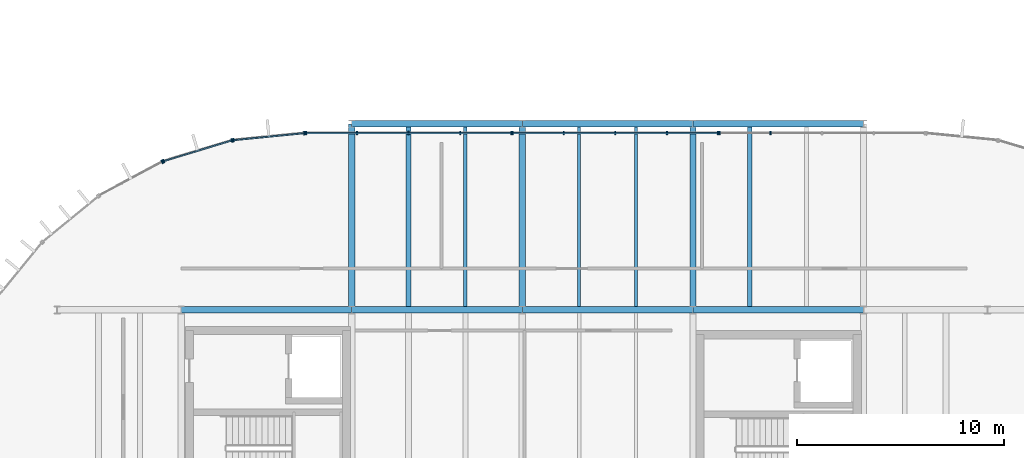
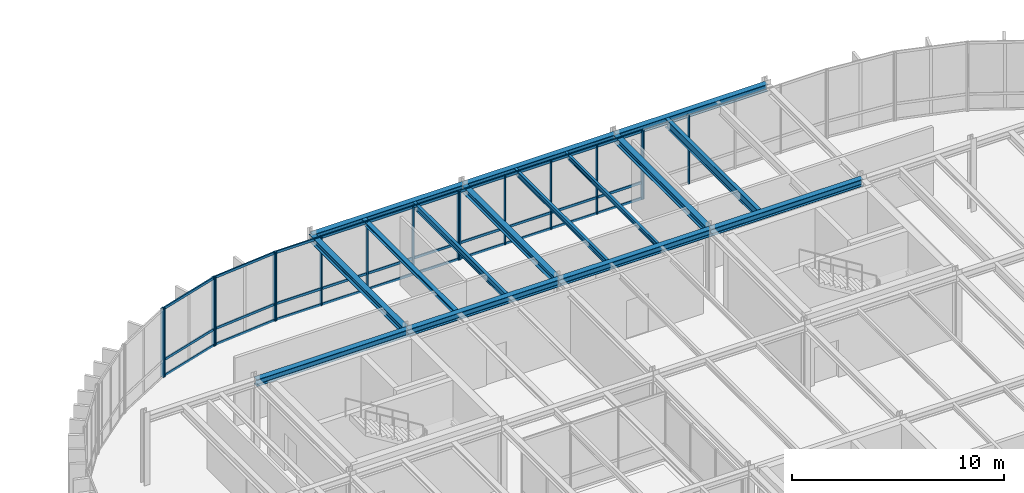
# One storey, part 14 of 31: 29 members, 15 beams, 6 elements without a shape of their own.
"""IFC4 building model written with IfcOpenShell, lengths in metres."""

from ifc_helpers import new_model, si_unit, direction, frame, origin, origin_2d, place, context, subcontext, project, spatial, rectangle, i_section, extrude, material, layer, layer_set, material_profile, profile_set, type_object, element, aggregate, save


model = new_model("IFC4")

# Units and contexts
model_context = context("Model", 3, precision=1e-05, world=origin(), true_north=direction((0.0, 1.0)))
body_context = subcontext(model_context, "Body", "Model", "MODEL_VIEW")
ifc_project = project(units=[si_unit("LENGTHUNIT", "METRE"), si_unit("AREAUNIT", "SQUARE_METRE"), si_unit("VOLUMEUNIT", "CUBIC_METRE"), si_unit("PLANEANGLEUNIT", "RADIAN"), si_unit("MASSUNIT", "GRAM", prefix="KILO")], contexts=[model_context])

# Site, building, storey
site_placement = place(None, origin())
site = spatial("IfcSite", under=ifc_project, at=site_placement, CompositionType="ELEMENT")
building_placement = place(site_placement, origin())
building = spatial("IfcBuilding", under=site, at=building_placement, Name="Montealbar Specialist Clinic", CompositionType="ELEMENT")
storey_placement = place(building_placement, frame((0.0, 0.0, 13.800048828125)))
storey = spatial("IfcBuildingStorey", under=building, at=storey_placement, Name="L03", CompositionType="ELEMENT", Elevation=13.800048828125)

# Beams
ifc_material_1 = material(Name="Steel S355", Category="steel")
ifc_material_profile_1 = material_profile(ifc_material_1, i_section(OverallWidth=0.300048828125, OverallDepth=0.39990234375, WebThickness=0.013427734375, FlangeThickness=0.02392578125, FilletRadius=0.027099609375, at=origin_2d()), Name="HEB 400", Category="steel")
ifc_profile_set_1 = profile_set([ifc_material_profile_1], Name="Steel S355")
beam_type_1 = type_object("IfcBeamType", Name="BM-GIRD-HEB400", PredefinedType="BEAM", material=ifc_profile_set_1)
for number, where, z_axis, x_axis, name in (
    (1, (66.0, 36.0, 3.739990234375), (1.0, 0.0, 0.0), (0.0, 1.0, 0.0), "Beam GX-L03-660-742-360"),
    (2, (74.25, 36.0, 3.739990234375), (1.0, 0.0, 0.0), (0.0, 1.0, 0.0), "Beam GX-L03-742-825-360"),
    (3, (82.5, 36.0, 3.739990234375), (1.0, 0.0, 0.0), (0.0, 1.0, 0.0), "Beam GX-L03-825-908-360"),
    (4, (90.75, 36.0, 3.739990234375), (1.0, 0.0, 0.0), (0.0, 1.0, 0.0), "Beam GX-L03-908-990-360"),
):
    element("IfcBeam", number, at=place(storey_placement, frame(where, z_axis=z_axis, x_axis=x_axis)), inside=storey, type_object=beam_type_1, Name=name, PredefinedType="BEAM", context=body_context, shape_type="SweptSolid", body=[
        extrude(i_section(OverallWidth=0.300048828125, OverallDepth=0.39990234375, WebThickness=0.013427734375, FlangeThickness=0.02392578125, FilletRadius=0.027099609375, at=origin_2d()), origin(), (0.0, 0.0, 1.0), 8.25),
    ])
for number, where, z_axis, x_axis, name in (
    (5, (74.25, 36.0, 3.739990234375), (0.0, 1.0, 0.0), (-1.0, 0.0, 0.0), "Beam GY-L03-742-360-450"),
    (6, (82.5, 36.0, 3.739990234375), (0.0, 1.0, 0.0), (-1.0, 0.0, 0.0), "Beam GY-L03-825-360-450"),
    (7, (90.75, 36.0, 3.739990234375), (0.0, 1.0, 0.0), (-1.0, 0.0, 0.0), "Beam GY-L03-908-360-450"),
):
    element("IfcBeam", number, at=place(storey_placement, frame(where, z_axis=z_axis, x_axis=x_axis)), inside=storey, type_object=beam_type_1, Name=name, PredefinedType="BEAM", context=body_context, shape_type="SweptSolid", body=[
        extrude(i_section(OverallWidth=0.300048828125, OverallDepth=0.39990234375, WebThickness=0.013427734375, FlangeThickness=0.02392578125, FilletRadius=0.027099609375, at=origin_2d()), origin(), (0.0, 0.0, 1.0), 9.0),
    ])
ifc_material_profile_2 = material_profile(ifc_material_1, i_section(OverallWidth=0.300048828125, OverallDepth=0.39990234375, WebThickness=0.013427734375, FlangeThickness=0.02392578125, FilletRadius=0.027099609375, at=origin_2d()), Name="HEB 400", Category="steel")
ifc_profile_set_2 = profile_set([ifc_material_profile_2], Name="Steel S355")
beam_type_2 = type_object("IfcBeamType", Name="BM-GIRD-HEB400-EXT", PredefinedType="BEAM", material=ifc_profile_set_2)
for number, where, z_axis, x_axis, name in (
    (8, (74.25, 45.0, 3.739990234375), (1.0, 0.0, 0.0), (0.0, 1.0, 0.0), "Beam GX-L03-742-825-450"),
    (9, (82.5, 45.0, 3.739990234375), (1.0, 0.0, 0.0), (0.0, 1.0, 0.0), "Beam GX-L03-825-908-450"),
    (10, (90.75, 45.0, 3.739990234375), (1.0, 0.0, 0.0), (0.0, 1.0, 0.0), "Beam GX-L03-908-990-450"),
):
    element("IfcBeam", number, at=place(storey_placement, frame(where, z_axis=z_axis, x_axis=x_axis)), inside=storey, type_object=beam_type_2, Name=name, PredefinedType="BEAM", context=body_context, shape_type="SweptSolid", body=[
        extrude(i_section(OverallWidth=0.300048828125, OverallDepth=0.39990234375, WebThickness=0.013427734375, FlangeThickness=0.02392578125, FilletRadius=0.027099609375, at=origin_2d()), origin(), (0.0, 0.0, 1.0), 8.25),
    ])
ifc_material_profile_3 = material_profile(ifc_material_1, i_section(OverallWidth=0.135009765625, OverallDepth=0.27001953125, WebThickness=0.006591796875, FlangeThickness=0.01025390625, FilletRadius=0.014892578125, at=origin_2d()), Name="IPE 270", Category="steel")
ifc_profile_set_3 = profile_set([ifc_material_profile_3], Name="Steel S355")
beam_type_3 = type_object("IfcBeamType", Name="BM-JST-IPE270", PredefinedType="JOIST", material=ifc_profile_set_3)
beam_1_placement = place(storey_placement, frame((88.0, 36.14990234375, 3.804931640625), z_axis=(0.0, 1.0, 0.0), x_axis=(-1.0, 0.0, 0.0)))
element("IfcBeam", 11, at=beam_1_placement, inside=storey, type_object=beam_type_3, Name="Beam JST-L03-880-362-448", PredefinedType="JOIST", context=body_context, shape_type="SweptSolid", body=[
    extrude(i_section(OverallWidth=0.135009765625, OverallDepth=0.27001953125, WebThickness=0.006591796875, FlangeThickness=0.01025390625, FilletRadius=0.014892578125, at=origin_2d()), origin(), (0.0, 0.0, 1.0), 8.7001953125),
])
ifc_material_profile_4 = material_profile(ifc_material_1, i_section(OverallWidth=0.14990234375, OverallDepth=0.300048828125, WebThickness=0.007080078125, FlangeThickness=0.0107421875, FilletRadius=0.014892578125, at=origin_2d()), Name="IPE 300", Category="steel")
ifc_profile_set_4 = profile_set([ifc_material_profile_4], Name="Steel S355")
beam_type_4 = type_object("IfcBeamType", Name="BM-JST-IPE300", PredefinedType="JOIST", material=ifc_profile_set_4)
beam_2_placement = place(storey_placement, frame((85.25, 36.14990234375, 3.7900390625), z_axis=(0.0, 1.0, 0.0), x_axis=(-1.0, 0.0, 0.0)))
element("IfcBeam", 12, at=beam_2_placement, inside=storey, type_object=beam_type_4, Name="Beam JST-L03-852-362-448", PredefinedType="JOIST", context=body_context, shape_type="SweptSolid", body=[
    extrude(i_section(OverallWidth=0.14990234375, OverallDepth=0.300048828125, WebThickness=0.007080078125, FlangeThickness=0.0107421875, FilletRadius=0.014892578125, at=origin_2d()), origin(), (0.0, 0.0, 1.0), 8.7001953125),
])
ifc_material_profile_5 = material_profile(ifc_material_1, i_section(OverallWidth=0.169921875, OverallDepth=0.360107421875, WebThickness=0.008056640625, FlangeThickness=0.0126953125, FilletRadius=0.01806640625, at=origin_2d()), Name="IPE 360", Category="steel")
ifc_profile_set_5 = profile_set([ifc_material_profile_5], Name="Steel S355")
beam_type_5 = type_object("IfcBeamType", Name="BM-JST-IPE360", PredefinedType="JOIST", material=ifc_profile_set_5)
beam_3_placement = place(storey_placement, frame((79.75, 36.14990234375, 3.760009765625), z_axis=(0.0, 1.0, 0.0), x_axis=(-1.0, 0.0, 0.0)))
element("IfcBeam", 13, at=beam_3_placement, inside=storey, type_object=beam_type_5, Name="Beam JST-L03-798-362-448", PredefinedType="JOIST", context=body_context, shape_type="SweptSolid", body=[
    extrude(i_section(OverallWidth=0.169921875, OverallDepth=0.360107421875, WebThickness=0.008056640625, FlangeThickness=0.0126953125, FilletRadius=0.01806640625, at=origin_2d()), origin(), (0.0, 0.0, 1.0), 8.7001953125),
])
ifc_material_profile_6 = material_profile(ifc_material_1, i_section(OverallWidth=0.199951171875, OverallDepth=0.5, WebThickness=0.01025390625, FlangeThickness=0.01611328125, FilletRadius=0.02099609375, at=origin_2d()), Name="IPE 500", Category="steel")
ifc_profile_set_6 = profile_set([ifc_material_profile_6], Name="Steel S355")
beam_type_6 = type_object("IfcBeamType", Name="BM-JST-IPE500", PredefinedType="JOIST", material=ifc_profile_set_6)
beam_4_placement = place(storey_placement, frame((93.5, 36.14990234375, 3.68994140625), z_axis=(0.0, 1.0, 0.0), x_axis=(-1.0, 0.0, 0.0)))
element("IfcBeam", 14, at=beam_4_placement, inside=storey, type_object=beam_type_6, Name="Beam JST-L03-935-362-448", PredefinedType="JOIST", context=body_context, shape_type="SweptSolid", body=[
    extrude(i_section(OverallWidth=0.199951171875, OverallDepth=0.5, WebThickness=0.01025390625, FlangeThickness=0.01611328125, FilletRadius=0.02099609375, at=origin_2d()), origin(), (0.0, 0.0, 1.0), 8.7001953125),
])
ifc_material_profile_7 = material_profile(ifc_material_1, i_section(OverallWidth=0.239990234375, OverallDepth=0.22998046875, WebThickness=0.007568359375, FlangeThickness=0.011962890625, FilletRadius=0.02099609375, at=origin_2d()), Name="HEA 240", Category="steel")
ifc_profile_set_7 = profile_set([ifc_material_profile_7], Name="Steel S355")
beam_type_7 = type_object("IfcBeamType", Name="BM-SPAND-HEA240", PredefinedType="SPANDREL", material=ifc_profile_set_7)
beam_5_placement = place(storey_placement, frame((77.0, 36.14990234375, 3.824951171875), z_axis=(0.0, 1.0, 0.0), x_axis=(-1.0, 0.0, 0.0)))
element("IfcBeam", 15, at=beam_5_placement, inside=storey, type_object=beam_type_7, Name="Beam JST-L03-770-362-448", PredefinedType="SPANDREL", context=body_context, shape_type="SweptSolid", body=[
    extrude(i_section(OverallWidth=0.239990234375, OverallDepth=0.22998046875, WebThickness=0.007568359375, FlangeThickness=0.011962890625, FilletRadius=0.02099609375, at=origin_2d()), origin(), (0.0, 0.0, 1.0), 8.7001953125),
])

# Curtain wall, members
ifc_material_2 = material(Name="Low-E double glazing", Category="glass")
ifc_layer_1 = layer(ifc_material_2, 0.199951171875, Name="Low-E double glazing", Category="glass")
ifc_layer_set_1 = layer_set([ifc_layer_1], Name="Low-E double glazing")
curtain_wall_type_1 = type_object("IfcCurtainWallType", Name="CW-TYPE-20", PredefinedType="NOTDEFINED", material=ifc_layer_set_1)
curtain_wall_1_placement = place(storey_placement, origin())
curtain_wall_1 = element("IfcCurtainWall", 16, at=curtain_wall_1_placement, inside=storey, type_object=curtain_wall_type_1, Name="Unitised Curtain Wall CW-L03-720-446-820-446-138", PredefinedType="NOTDEFINED")
ifc_material_3 = material(Name="Anodised aluminium EN AW-6063", Category="aluminium")
ifc_material_profile_8 = material_profile(ifc_material_3, rectangle(XDim=0.06005859375, YDim=0.159912109375, at=origin_2d()), Name="ALU 60x160", Category="aluminium")
ifc_profile_set_8 = profile_set([ifc_material_profile_8], Name="Anodised aluminium EN AW-6063")
member_type_1 = type_object("IfcMemberType", Name="CW-MUL-160", PredefinedType="MULLION", material=ifc_profile_set_8)
member_1_placement = place(storey_placement, frame((72.034912109375, 44.550048828125, 0.0), z_axis=(0.0, 0.0, 1.0), x_axis=(1.0, 0.0, 0.0)))
member_1 = element("IfcMember", 17, at=member_1_placement, type_object=member_type_1, Name="Curtain Wall Mullion CW-L03-720-446-820-446-138-00", PredefinedType="MULLION", context=body_context, shape_type="SweptSolid", body=[
    extrude(rectangle(XDim=0.06005859375, YDim=0.159912109375, at=origin_2d()), origin(), (0.0, 0.0, 1.0), 3.93994140625),
])
member_2_placement = place(storey_placement, frame((74.5, 44.550048828125, 0.0), z_axis=(0.0, 0.0, 1.0), x_axis=(1.0, 0.0, 0.0)))
member_2 = element("IfcMember", 18, at=member_2_placement, type_object=member_type_1, Name="Curtain Wall Mullion CW-L03-720-446-820-446-138-01", PredefinedType="MULLION", context=body_context, shape_type="SweptSolid", body=[
    extrude(rectangle(XDim=0.06005859375, YDim=0.159912109375, at=origin_2d()), origin(), (0.0, 0.0, 1.0), 3.93994140625),
])
member_3_placement = place(storey_placement, frame((77.0, 44.550048828125, 0.0), z_axis=(0.0, 0.0, 1.0), x_axis=(1.0, 0.0, 0.0)))
member_3 = element("IfcMember", 19, at=member_3_placement, type_object=member_type_1, Name="Curtain Wall Mullion CW-L03-720-446-820-446-138-02", PredefinedType="MULLION", context=body_context, shape_type="SweptSolid", body=[
    extrude(rectangle(XDim=0.06005859375, YDim=0.159912109375, at=origin_2d()), origin(), (0.0, 0.0, 1.0), 3.93994140625),
])
member_4_placement = place(storey_placement, frame((79.5, 44.550048828125, 0.0), z_axis=(0.0, 0.0, 1.0), x_axis=(1.0, 0.0, 0.0)))
member_4 = element("IfcMember", 20, at=member_4_placement, type_object=member_type_1, Name="Curtain Wall Mullion CW-L03-720-446-820-446-138-03", PredefinedType="MULLION", context=body_context, shape_type="SweptSolid", body=[
    extrude(rectangle(XDim=0.06005859375, YDim=0.159912109375, at=origin_2d()), origin(), (0.0, 0.0, 1.0), 3.93994140625),
])
member_5_placement = place(storey_placement, frame((81.965087890625, 44.550048828125, 0.0), z_axis=(0.0, 0.0, 1.0), x_axis=(1.0, 0.0, 0.0)))
member_5 = element("IfcMember", 21, at=member_5_placement, type_object=member_type_1, Name="Curtain Wall Mullion CW-L03-720-446-820-446-138-04", PredefinedType="MULLION", context=body_context, shape_type="SweptSolid", body=[
    extrude(rectangle(XDim=0.06005859375, YDim=0.159912109375, at=origin_2d()), origin(), (0.0, 0.0, 1.0), 3.93994140625),
])

curtain_wall_2_placement = place(storey_placement, origin())
curtain_wall_2 = element("IfcCurtainWall", 22, at=curtain_wall_2_placement, inside=storey, type_object=curtain_wall_type_1, Name="Unitised Curtain Wall CW-L03-820-446-920-446-138", PredefinedType="NOTDEFINED")
member_6_placement = place(storey_placement, frame((82.034912109375, 44.550048828125, 0.0), z_axis=(0.0, 0.0, 1.0), x_axis=(1.0, 0.0, 0.0)))
member_6 = element("IfcMember", 23, at=member_6_placement, type_object=member_type_1, Name="Curtain Wall Mullion CW-L03-820-446-920-446-138-00", PredefinedType="MULLION", context=body_context, shape_type="SweptSolid", body=[
    extrude(rectangle(XDim=0.06005859375, YDim=0.159912109375, at=origin_2d()), origin(), (0.0, 0.0, 1.0), 3.93994140625),
])
member_7_placement = place(storey_placement, frame((84.5, 44.550048828125, 0.0), z_axis=(0.0, 0.0, 1.0), x_axis=(1.0, 0.0, 0.0)))
member_7 = element("IfcMember", 24, at=member_7_placement, type_object=member_type_1, Name="Curtain Wall Mullion CW-L03-820-446-920-446-138-01", PredefinedType="MULLION", context=body_context, shape_type="SweptSolid", body=[
    extrude(rectangle(XDim=0.06005859375, YDim=0.159912109375, at=origin_2d()), origin(), (0.0, 0.0, 1.0), 3.93994140625),
])
member_8_placement = place(storey_placement, frame((87.0, 44.550048828125, 0.0), z_axis=(0.0, 0.0, 1.0), x_axis=(1.0, 0.0, 0.0)))
member_8 = element("IfcMember", 25, at=member_8_placement, type_object=member_type_1, Name="Curtain Wall Mullion CW-L03-820-446-920-446-138-02", PredefinedType="MULLION", context=body_context, shape_type="SweptSolid", body=[
    extrude(rectangle(XDim=0.06005859375, YDim=0.159912109375, at=origin_2d()), origin(), (0.0, 0.0, 1.0), 3.93994140625),
])
member_9_placement = place(storey_placement, frame((89.5, 44.550048828125, 0.0), z_axis=(0.0, 0.0, 1.0), x_axis=(1.0, 0.0, 0.0)))
member_9 = element("IfcMember", 26, at=member_9_placement, type_object=member_type_1, Name="Curtain Wall Mullion CW-L03-820-446-920-446-138-03", PredefinedType="MULLION", context=body_context, shape_type="SweptSolid", body=[
    extrude(rectangle(XDim=0.06005859375, YDim=0.159912109375, at=origin_2d()), origin(), (0.0, 0.0, 1.0), 3.93994140625),
])
member_10_placement = place(storey_placement, frame((91.965087890625, 44.550048828125, 0.0), z_axis=(0.0, 0.0, 1.0), x_axis=(1.0, 0.0, 0.0)))
member_10 = element("IfcMember", 27, at=member_10_placement, type_object=member_type_1, Name="Curtain Wall Mullion CW-L03-820-446-920-446-138-04", PredefinedType="MULLION", context=body_context, shape_type="SweptSolid", body=[
    extrude(rectangle(XDim=0.06005859375, YDim=0.159912109375, at=origin_2d()), origin(), (0.0, 0.0, 1.0), 3.93994140625),
])

curtain_wall_3_placement = place(storey_placement, origin())
curtain_wall_3 = element("IfcCurtainWall", 28, at=curtain_wall_3_placement, inside=storey, type_object=curtain_wall_type_1, Name="Unitised Curtain Wall CW-L03-920-446-1020-446-138", PredefinedType="NOTDEFINED")
member_11_placement = place(storey_placement, frame((92.034912109375, 44.550048828125, 0.0), z_axis=(0.0, 0.0, 1.0), x_axis=(1.0, 0.0, 0.0)))
member_11 = element("IfcMember", 29, at=member_11_placement, type_object=member_type_1, Name="Curtain Wall Mullion CW-L03-920-446-1020-446-138-00", PredefinedType="MULLION", context=body_context, shape_type="SweptSolid", body=[
    extrude(rectangle(XDim=0.06005859375, YDim=0.159912109375, at=origin_2d()), origin(), (0.0, 0.0, 1.0), 3.93994140625),
])
member_12_placement = place(storey_placement, frame((94.5, 44.550048828125, 0.0), z_axis=(0.0, 0.0, 1.0), x_axis=(1.0, 0.0, 0.0)))
member_12 = element("IfcMember", 30, at=member_12_placement, type_object=member_type_1, Name="Curtain Wall Mullion CW-L03-920-446-1020-446-138-01", PredefinedType="MULLION", context=body_context, shape_type="SweptSolid", body=[
    extrude(rectangle(XDim=0.06005859375, YDim=0.159912109375, at=origin_2d()), origin(), (0.0, 0.0, 1.0), 3.93994140625),
])
aggregate(curtain_wall_3, [member_11, member_12])

# Curtain wall, member
ifc_layer_2 = layer(ifc_material_2, 0.199951171875, Name="Low-E double glazing", Category="glass")
ifc_layer_set_2 = layer_set([ifc_layer_2], Name="Low-E double glazing")
curtain_wall_type_2 = type_object("IfcCurtainWallType", Name="CW-TYPE-19", PredefinedType="NOTDEFINED", material=ifc_layer_set_2)
curtain_wall_4_placement = place(storey_placement, origin())
curtain_wall_4 = element("IfcCurtainWall", 31, at=curtain_wall_4_placement, inside=storey, type_object=curtain_wall_type_2, Name="Unitised Curtain Wall CW-L03-620-415-651-432-138", PredefinedType="NOTDEFINED")
ifc_material_profile_9 = material_profile(ifc_material_3, rectangle(XDim=0.070068359375, YDim=0.179931640625, at=origin_2d()), Name="ALU 70x180", Category="aluminium")
ifc_profile_set_9 = profile_set([ifc_material_profile_9], Name="Anodised aluminium EN AW-6063")
member_type_2 = type_object("IfcMemberType", Name="CW-MUL-200", PredefinedType="MULLION", material=ifc_profile_set_9)
member_13_placement = place(storey_placement, frame((65.076904296875, 43.160888671875, 0.0), z_axis=(0.0, 0.0, 1.0), x_axis=(0.881850411644, 0.471529268958, 0.0)))
member_13 = element("IfcMember", 32, at=member_13_placement, type_object=member_type_2, Name="Curtain Wall Mullion CW-L03-620-415-651-432-138-01", PredefinedType="MULLION", context=body_context, shape_type="SweptSolid", body=[
    extrude(rectangle(XDim=0.070068359375, YDim=0.179931640625, at=origin_2d()), origin(), (0.0, 0.0, 1.0), 3.93994140625),
])
aggregate(curtain_wall_4, [member_13])

# Curtain wall, members
curtain_wall_5_placement = place(storey_placement, origin())
curtain_wall_5 = element("IfcCurtainWall", 33, at=curtain_wall_5_placement, inside=storey, type_object=curtain_wall_type_2, Name="Unitised Curtain Wall CW-L03-651-432-685-442-138", PredefinedType="NOTDEFINED")
member_14_placement = place(storey_placement, frame((65.14990234375, 43.19189453125, 0.0), z_axis=(0.0, 0.0, 1.0), x_axis=(0.956948083701, 0.290259134399, 0.0)))
member_14 = element("IfcMember", 34, at=member_14_placement, type_object=member_type_2, Name="Curtain Wall Mullion CW-L03-651-432-685-442-138-00", PredefinedType="MULLION", context=body_context, shape_type="SweptSolid", body=[
    extrude(rectangle(XDim=0.070068359375, YDim=0.179931640625, at=origin_2d()), origin(), (0.0, 0.0, 1.0), 3.93994140625),
])
member_15_placement = place(storey_placement, frame((68.449951171875, 44.19189453125, 0.0), z_axis=(0.0, 0.0, 1.0), x_axis=(0.956948083701, 0.290259134399, 0.0)))
member_15 = element("IfcMember", 35, at=member_15_placement, type_object=member_type_2, Name="Curtain Wall Mullion CW-L03-651-432-685-442-138-01", PredefinedType="MULLION", context=body_context, shape_type="SweptSolid", body=[
    extrude(rectangle(XDim=0.070068359375, YDim=0.179931640625, at=origin_2d()), origin(), (0.0, 0.0, 1.0), 3.93994140625),
])

curtain_wall_6_placement = place(storey_placement, origin())
curtain_wall_6 = element("IfcCurtainWall", 36, at=curtain_wall_6_placement, inside=storey, type_object=curtain_wall_type_2, Name="Unitised Curtain Wall CW-L03-685-442-720-446-138", PredefinedType="NOTDEFINED")
member_16_placement = place(storey_placement, frame((68.528076171875, 44.2080078125, 0.0), z_axis=(0.0, 0.0, 1.0), x_axis=(0.995182012183, 0.098044697094, 0.0)))
member_16 = element("IfcMember", 37, at=member_16_placement, type_object=member_type_2, Name="Curtain Wall Mullion CW-L03-685-442-720-446-138-00", PredefinedType="MULLION", context=body_context, shape_type="SweptSolid", body=[
    extrude(rectangle(XDim=0.070068359375, YDim=0.179931640625, at=origin_2d()), origin(), (0.0, 0.0, 1.0), 3.93994140625),
])
member_17_placement = place(storey_placement, frame((71.9599609375, 44.5458984375, 0.0), z_axis=(0.0, 0.0, 1.0), x_axis=(0.995182012183, 0.098044697094, 0.0)))
member_17 = element("IfcMember", 38, at=member_17_placement, type_object=member_type_2, Name="Curtain Wall Mullion CW-L03-685-442-720-446-138-01", PredefinedType="MULLION", context=body_context, shape_type="SweptSolid", body=[
    extrude(rectangle(XDim=0.070068359375, YDim=0.179931640625, at=origin_2d()), origin(), (0.0, 0.0, 1.0), 3.93994140625),
])

# Member
ifc_material_4 = material(Name="Powder-coated aluminium", Category="aluminium")
ifc_material_profile_10 = material_profile(ifc_material_4, rectangle(XDim=0.070068359375, YDim=0.139892578125, at=origin_2d()), Name="ALU 70x140", Category="aluminium")
ifc_profile_set_10 = profile_set([ifc_material_profile_10], Name="Powder-coated aluminium")
member_type_3 = type_object("IfcMemberType", Name="CW-TRN-140", PredefinedType="USERDEFINED", material=ifc_profile_set_10)
member_18_placement = place(storey_placement, frame((65.159912109375, 43.195068359375, 0.0400390625), z_axis=(0.957028598092, 0.289993555849, 0.0), x_axis=(-0.289993555849, 0.957028598092, 0.0)))
member_18 = element("IfcMember", 39, at=member_18_placement, type_object=member_type_3, Name="Curtain Wall Transom CW-L03-651-432-685-442-138-00", ObjectType="TRANSOM", PredefinedType="USERDEFINED", context=body_context, shape_type="SweptSolid", body=[
    extrude(rectangle(XDim=0.070068359375, YDim=0.139892578125, at=origin_2d()), origin(), (0.0, 0.0, 1.0), 3.42724609375),
])

member_19_placement = place(storey_placement, frame((65.159912109375, 43.195068359375, 0.949951171875), z_axis=(0.957028598092, 0.289993555849, 0.0), x_axis=(-0.289993555849, 0.957028598092, 0.0)))
member_19 = element("IfcMember", 40, at=member_19_placement, type_object=member_type_3, Name="Curtain Wall Transom CW-L03-651-432-685-442-138-01", ObjectType="TRANSOM", PredefinedType="USERDEFINED", context=body_context, shape_type="SweptSolid", body=[
    extrude(rectangle(XDim=0.070068359375, YDim=0.139892578125, at=origin_2d()), origin(), (0.0, 0.0, 1.0), 3.42724609375),
])

member_20_placement = place(storey_placement, frame((65.159912109375, 43.195068359375, 3.89990234375), z_axis=(0.957028598092, 0.289993555849, 0.0), x_axis=(-0.289993555849, 0.957028598092, 0.0)))
member_20 = element("IfcMember", 41, at=member_20_placement, type_object=member_type_3, Name="Curtain Wall Transom CW-L03-651-432-685-442-138-02", ObjectType="TRANSOM", PredefinedType="USERDEFINED", context=body_context, shape_type="SweptSolid", body=[
    extrude(rectangle(XDim=0.070068359375, YDim=0.139892578125, at=origin_2d()), origin(), (0.0, 0.0, 1.0), 3.42724609375),
])

aggregate(curtain_wall_5, [member_14, member_15, member_18, member_19, member_20])

member_21_placement = place(storey_placement, frame((68.5380859375, 44.208984375, 0.0400390625), z_axis=(0.995187625394, 0.097987704654, 0.0), x_axis=(-0.097987704654, 0.995187625394, 0.0)))
member_21 = element("IfcMember", 42, at=member_21_placement, type_object=member_type_3, Name="Curtain Wall Transom CW-L03-685-442-720-446-138-00", ObjectType="TRANSOM", PredefinedType="USERDEFINED", context=body_context, shape_type="SweptSolid", body=[
    extrude(rectangle(XDim=0.070068359375, YDim=0.139892578125, at=origin_2d()), origin(), (0.0, 0.0, 1.0), 3.428466796875),
])

member_22_placement = place(storey_placement, frame((68.5380859375, 44.208984375, 0.949951171875), z_axis=(0.995187625394, 0.097987704654, 0.0), x_axis=(-0.097987704654, 0.995187625394, 0.0)))
member_22 = element("IfcMember", 43, at=member_22_placement, type_object=member_type_3, Name="Curtain Wall Transom CW-L03-685-442-720-446-138-01", ObjectType="TRANSOM", PredefinedType="USERDEFINED", context=body_context, shape_type="SweptSolid", body=[
    extrude(rectangle(XDim=0.070068359375, YDim=0.139892578125, at=origin_2d()), origin(), (0.0, 0.0, 1.0), 3.428466796875),
])

member_23_placement = place(storey_placement, frame((68.5380859375, 44.208984375, 3.89990234375), z_axis=(0.995187625394, 0.097987704654, 0.0), x_axis=(-0.097987704654, 0.995187625394, 0.0)))
member_23 = element("IfcMember", 44, at=member_23_placement, type_object=member_type_3, Name="Curtain Wall Transom CW-L03-685-442-720-446-138-02", ObjectType="TRANSOM", PredefinedType="USERDEFINED", context=body_context, shape_type="SweptSolid", body=[
    extrude(rectangle(XDim=0.070068359375, YDim=0.139892578125, at=origin_2d()), origin(), (0.0, 0.0, 1.0), 3.428466796875),
])

aggregate(curtain_wall_6, [member_16, member_17, member_21, member_22, member_23])

member_24_placement = place(storey_placement, frame((72.050048828125, 44.550048828125, 0.0400390625), z_axis=(1.0, 0.0, 0.0), x_axis=(0.0, 1.0, 0.0)))
member_24 = element("IfcMember", 45, at=member_24_placement, type_object=member_type_3, Name="Curtain Wall Transom CW-L03-720-446-820-446-138-00", ObjectType="TRANSOM", PredefinedType="USERDEFINED", context=body_context, shape_type="SweptSolid", body=[
    extrude(rectangle(XDim=0.070068359375, YDim=0.139892578125, at=origin_2d()), origin(), (0.0, 0.0, 1.0), 9.89990234375),
])

member_25_placement = place(storey_placement, frame((72.050048828125, 44.550048828125, 0.949951171875), z_axis=(1.0, 0.0, 0.0), x_axis=(0.0, 1.0, 0.0)))
member_25 = element("IfcMember", 46, at=member_25_placement, type_object=member_type_3, Name="Curtain Wall Transom CW-L03-720-446-820-446-138-01", ObjectType="TRANSOM", PredefinedType="USERDEFINED", context=body_context, shape_type="SweptSolid", body=[
    extrude(rectangle(XDim=0.070068359375, YDim=0.139892578125, at=origin_2d()), origin(), (0.0, 0.0, 1.0), 9.89990234375),
])

member_26_placement = place(storey_placement, frame((72.050048828125, 44.550048828125, 3.89990234375), z_axis=(1.0, 0.0, 0.0), x_axis=(0.0, 1.0, 0.0)))
member_26 = element("IfcMember", 47, at=member_26_placement, type_object=member_type_3, Name="Curtain Wall Transom CW-L03-720-446-820-446-138-02", ObjectType="TRANSOM", PredefinedType="USERDEFINED", context=body_context, shape_type="SweptSolid", body=[
    extrude(rectangle(XDim=0.070068359375, YDim=0.139892578125, at=origin_2d()), origin(), (0.0, 0.0, 1.0), 9.89990234375),
])

aggregate(curtain_wall_1, [member_1, member_2, member_3, member_4, member_5, member_24, member_25, member_26])

member_27_placement = place(storey_placement, frame((82.050048828125, 44.550048828125, 0.0400390625), z_axis=(1.0, 0.0, 0.0), x_axis=(0.0, 1.0, 0.0)))
member_27 = element("IfcMember", 48, at=member_27_placement, type_object=member_type_3, Name="Curtain Wall Transom CW-L03-820-446-920-446-138-00", ObjectType="TRANSOM", PredefinedType="USERDEFINED", context=body_context, shape_type="SweptSolid", body=[
    extrude(rectangle(XDim=0.070068359375, YDim=0.139892578125, at=origin_2d()), origin(), (0.0, 0.0, 1.0), 9.89990234375),
])

member_28_placement = place(storey_placement, frame((82.050048828125, 44.550048828125, 0.949951171875), z_axis=(1.0, 0.0, 0.0), x_axis=(0.0, 1.0, 0.0)))
member_28 = element("IfcMember", 49, at=member_28_placement, type_object=member_type_3, Name="Curtain Wall Transom CW-L03-820-446-920-446-138-01", ObjectType="TRANSOM", PredefinedType="USERDEFINED", context=body_context, shape_type="SweptSolid", body=[
    extrude(rectangle(XDim=0.070068359375, YDim=0.139892578125, at=origin_2d()), origin(), (0.0, 0.0, 1.0), 9.89990234375),
])

member_29_placement = place(storey_placement, frame((82.050048828125, 44.550048828125, 3.89990234375), z_axis=(1.0, 0.0, 0.0), x_axis=(0.0, 1.0, 0.0)))
member_29 = element("IfcMember", 50, at=member_29_placement, type_object=member_type_3, Name="Curtain Wall Transom CW-L03-820-446-920-446-138-02", ObjectType="TRANSOM", PredefinedType="USERDEFINED", context=body_context, shape_type="SweptSolid", body=[
    extrude(rectangle(XDim=0.070068359375, YDim=0.139892578125, at=origin_2d()), origin(), (0.0, 0.0, 1.0), 9.89990234375),
])

aggregate(curtain_wall_2, [member_6, member_7, member_8, member_9, member_10, member_27, member_28, member_29])

save(model, "model.ifc")
